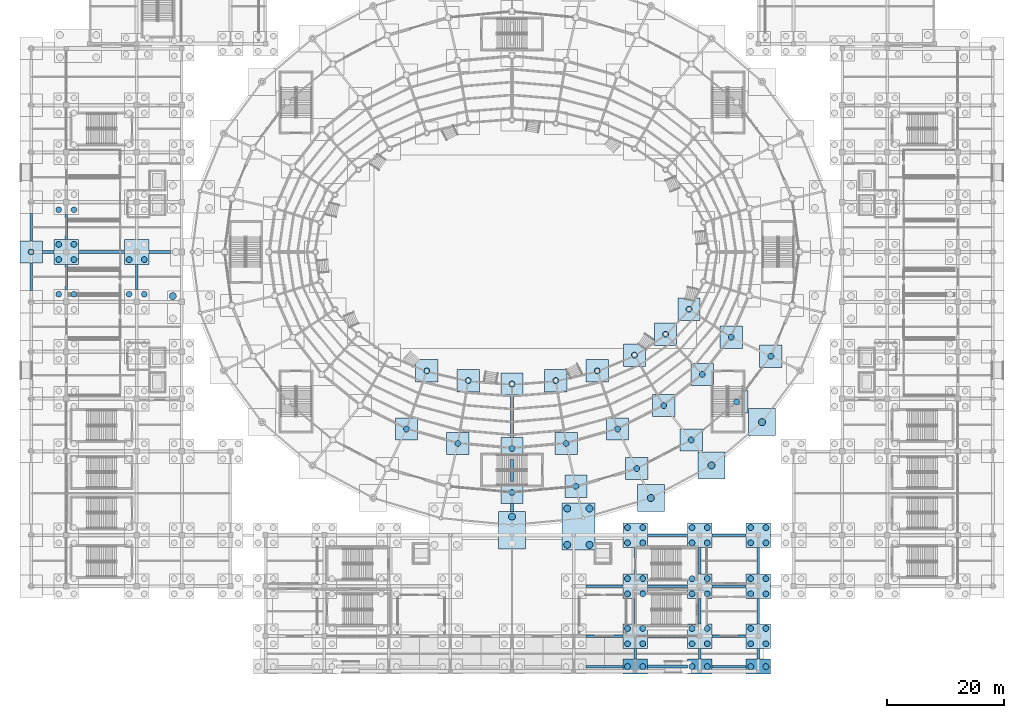
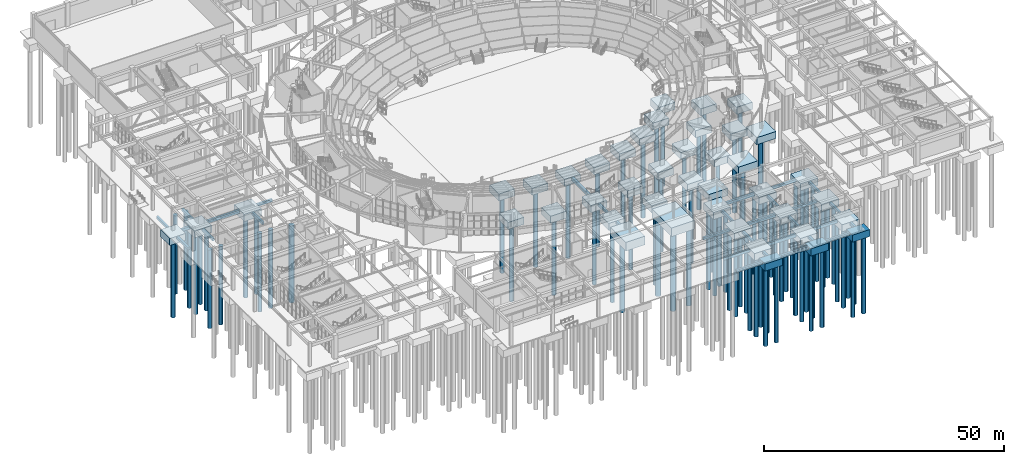
# One storey, part 3 of 121: 86 piles, 73 footings.
"""IFC4 building model written with IfcOpenShell, lengths in metres."""

from ifc_helpers import new_model, si_unit, direction, frame, origin, origin_2d, place, context, subcontext, project, spatial, rectangle, circle, extrude, material, material_profile, profile_set, type_object, element, save


model = new_model("IFC4")

# Units and contexts
model_context = context("Model", 3, precision=1e-05, world=origin(), true_north=direction((0.0, 1.0)))
body_context = subcontext(model_context, "Body", "Model", "MODEL_VIEW")
ifc_project = project(units=[si_unit("LENGTHUNIT", "METRE"), si_unit("AREAUNIT", "SQUARE_METRE"), si_unit("VOLUMEUNIT", "CUBIC_METRE"), si_unit("PLANEANGLEUNIT", "RADIAN"), si_unit("MASSUNIT", "GRAM", prefix="KILO")], contexts=[model_context])

# Site, building, storey
site_placement = place(None, origin())
site = spatial("IfcSite", under=ifc_project, at=site_placement, CompositionType="ELEMENT")
building_placement = place(site_placement, origin())
building = spatial("IfcBuilding", under=site, at=building_placement, Name="Cuetzalor Civic Arena", CompositionType="ELEMENT")
storey_placement = place(building_placement, origin())
storey = spatial("IfcBuildingStorey", under=building, at=storey_placement, Name="L00", CompositionType="ELEMENT", Elevation=0.0)

# Piles
ifc_material_1 = material(Name="Concrete C40/50", Category="concrete")
ifc_material_profile_1 = material_profile(ifc_material_1, circle(Radius=0.5, at=origin_2d()), Name="BORED PILE D1000")
ifc_profile_set_1 = profile_set([ifc_material_profile_1], Name="Concrete C40/50")
pile_type_1 = type_object("IfcPileType", Name="BoredPile_D1000", PredefinedType="BORED", material=ifc_profile_set_1)
for number, where, z_axis, x_axis, name in (
    (1, (19.699951171875, -70.699951171875, -2.050048828125), (0.0, 0.0, -1.0), (1.0, 0.0, 0.0), "Bored Pile 0013"),
    (2, (22.300048828125, -70.699951171875, -2.050048828125), (0.0, 0.0, -1.0), (1.0, 0.0, 0.0), "Bored Pile 0014"),
    (3, (30.699951171875, -70.699951171875, -2.050048828125), (0.0, 0.0, -1.0), (1.0, 0.0, 0.0), "Bored Pile 0015"),
    (4, (33.300048828125, -70.699951171875, -2.050048828125), (0.0, 0.0, -1.0), (1.0, 0.0, 0.0), "Bored Pile 0016"),
    (5, (40.699951171875, -70.699951171875, -2.050048828125), (0.0, 0.0, -1.0), (1.0, 0.0, 0.0), "Bored Pile 0017"),
    (6, (43.300048828125, -70.699951171875, -2.050048828125), (0.0, 0.0, -1.0), (1.0, 0.0, 0.0), "Bored Pile 0018"),
    (7, (19.699951171875, -66.800048828125, -2.050048828125), (0.0, 0.0, -1.0), (1.0, 0.0, 0.0), "Bored Pile 0043"),
    (8, (19.699951171875, -64.199951171875, -2.050048828125), (0.0, 0.0, -1.0), (1.0, 0.0, 0.0), "Bored Pile 0044"),
    (9, (22.300048828125, -66.800048828125, -2.050048828125), (0.0, 0.0, -1.0), (1.0, 0.0, 0.0), "Bored Pile 0045"),
    (10, (22.300048828125, -64.199951171875, -2.050048828125), (0.0, 0.0, -1.0), (1.0, 0.0, 0.0), "Bored Pile 0046"),
    (11, (30.699951171875, -66.800048828125, -2.050048828125), (0.0, 0.0, -1.0), (1.0, 0.0, 0.0), "Bored Pile 0047"),
    (12, (30.699951171875, -64.199951171875, -2.050048828125), (0.0, 0.0, -1.0), (1.0, 0.0, 0.0), "Bored Pile 0048"),
    (13, (33.300048828125, -66.800048828125, -2.050048828125), (0.0, 0.0, -1.0), (1.0, 0.0, 0.0), "Bored Pile 0049"),
    (14, (33.300048828125, -64.199951171875, -2.050048828125), (0.0, 0.0, -1.0), (1.0, 0.0, 0.0), "Bored Pile 0050"),
    (15, (40.699951171875, -66.800048828125, -2.050048828125), (0.0, 0.0, -1.0), (1.0, 0.0, 0.0), "Bored Pile 0051"),
    (16, (40.699951171875, -64.199951171875, -2.050048828125), (0.0, 0.0, -1.0), (1.0, 0.0, 0.0), "Bored Pile 0052"),
    (17, (43.300048828125, -66.800048828125, -2.050048828125), (0.0, 0.0, -1.0), (1.0, 0.0, 0.0), "Bored Pile 0053"),
    (18, (43.300048828125, -64.199951171875, -2.050048828125), (0.0, 0.0, -1.0), (1.0, 0.0, 0.0), "Bored Pile 0054"),
    (19, (19.699951171875, -58.300048828125, -2.050048828125), (0.0, 0.0, -1.0), (1.0, 0.0, 0.0), "Bored Pile 0092"),
    (20, (19.699951171875, -55.699951171875, -2.050048828125), (0.0, 0.0, -1.0), (1.0, 0.0, 0.0), "Bored Pile 0093"),
    (21, (22.300048828125, -58.300048828125, -2.050048828125), (0.0, 0.0, -1.0), (1.0, 0.0, 0.0), "Bored Pile 0094"),
    (22, (22.300048828125, -55.699951171875, -2.050048828125), (0.0, 0.0, -1.0), (1.0, 0.0, 0.0), "Bored Pile 0095"),
    (23, (30.699951171875, -58.300048828125, -2.050048828125), (0.0, 0.0, -1.0), (1.0, 0.0, 0.0), "Bored Pile 0096"),
    (24, (30.699951171875, -55.699951171875, -2.050048828125), (0.0, 0.0, -1.0), (1.0, 0.0, 0.0), "Bored Pile 0097"),
    (25, (33.300048828125, -58.300048828125, -2.050048828125), (0.0, 0.0, -1.0), (1.0, 0.0, 0.0), "Bored Pile 0098"),
    (26, (33.300048828125, -55.699951171875, -2.050048828125), (0.0, 0.0, -1.0), (1.0, 0.0, 0.0), "Bored Pile 0099"),
    (27, (40.699951171875, -58.300048828125, -2.050048828125), (0.0, 0.0, -1.0), (1.0, 0.0, 0.0), "Bored Pile 0100"),
    (28, (40.699951171875, -55.699951171875, -2.050048828125), (0.0, 0.0, -1.0), (1.0, 0.0, 0.0), "Bored Pile 0101"),
    (29, (43.300048828125, -58.300048828125, -2.050048828125), (0.0, 0.0, -1.0), (1.0, 0.0, 0.0), "Bored Pile 0102"),
    (30, (43.300048828125, -55.699951171875, -2.050048828125), (0.0, 0.0, -1.0), (1.0, 0.0, 0.0), "Bored Pile 0103"),
    (31, (19.699951171875, -49.60009765625, -2.050048828125), (0.0, 0.0, -1.0), (1.0, 0.0, 0.0), "Bored Pile 0150"),
    (32, (19.699951171875, -47.0, -2.050048828125), (0.0, 0.0, -1.0), (1.0, 0.0, 0.0), "Bored Pile 0151"),
    (33, (22.300048828125, -49.60009765625, -2.050048828125), (0.0, 0.0, -1.0), (1.0, 0.0, 0.0), "Bored Pile 0152"),
    (34, (22.300048828125, -47.0, -2.050048828125), (0.0, 0.0, -1.0), (1.0, 0.0, 0.0), "Bored Pile 0153"),
    (35, (30.699951171875, -49.60009765625, -2.050048828125), (0.0, 0.0, -1.0), (1.0, 0.0, 0.0), "Bored Pile 0154"),
    (36, (30.699951171875, -47.0, -2.050048828125), (0.0, 0.0, -1.0), (1.0, 0.0, 0.0), "Bored Pile 0155"),
    (37, (33.300048828125, -49.60009765625, -2.050048828125), (0.0, 0.0, -1.0), (1.0, 0.0, 0.0), "Bored Pile 0156"),
    (38, (33.300048828125, -47.0, -2.050048828125), (0.0, 0.0, -1.0), (1.0, 0.0, 0.0), "Bored Pile 0157"),
    (39, (40.699951171875, -49.60009765625, -2.050048828125), (0.0, 0.0, -1.0), (1.0, 0.0, 0.0), "Bored Pile 0158"),
    (40, (40.699951171875, -47.0, -2.050048828125), (0.0, 0.0, -1.0), (1.0, 0.0, 0.0), "Bored Pile 0159"),
    (41, (43.300048828125, -49.60009765625, -2.050048828125), (0.0, 0.0, -1.0), (1.0, 0.0, 0.0), "Bored Pile 0160"),
    (42, (43.300048828125, -47.0, -2.050048828125), (0.0, 0.0, -1.0), (1.0, 0.0, 0.0), "Bored Pile 0161"),
    (43, (0.0, -41.0, -2.050048828125), (0.0, 0.0, -1.0), (1.0, 0.0, 0.0), "Bored Pile 0191"),
    (44, (10.903564453125, -39.971923828125, -2.050048828125), (0.0, 0.0, -1.0), (1.0, 0.0, 0.0), "Bored Pile 0193"),
    (45, (21.26025390625, -36.939697265625, -2.050048828125), (0.0, 0.0, -1.0), (1.0, 0.0, 0.0), "Bored Pile 0195"),
    (46, (0.0, -33.5, -2.050048828125), (0.0, 0.0, -1.0), (1.0, 0.0, 0.0), "Bored Pile 0232"),
    (47, (-9.234619140625, -32.66015625, -2.050048828125), (0.0, 0.0, -1.0), (1.0, 0.0, 0.0), "Bored Pile 0233"),
    (48, (9.234619140625, -32.66015625, -2.050048828125), (0.0, 0.0, -1.0), (1.0, 0.0, 0.0), "Bored Pile 0234"),
    (49, (30.551025390625, -32.05517578125, -2.050048828125), (0.0, 0.0, -1.0), (1.0, 0.0, 0.0), "Bored Pile 0236"),
    (50, (-18.006103515625, -30.1826171875, -2.050048828125), (0.0, 0.0, -1.0), (1.0, 0.0, 0.0), "Bored Pile 0237"),
    (51, (18.006103515625, -30.1826171875, -2.050048828125), (0.0, 0.0, -1.0), (1.0, 0.0, 0.0), "Bored Pile 0238"),
    (52, (25.874755859375, -26.19140625, -2.050048828125), (0.0, 0.0, -1.0), (1.0, 0.0, 0.0), "Bored Pile 0242"),
    (53, (38.309814453125, -25.56298828125, -2.050048828125), (0.0, 0.0, -1.0), (1.0, 0.0, 0.0), "Bored Pile 0244"),
    (54, (0.0, -22.5, -2.050048828125), (0.0, 0.0, -1.0), (1.0, 0.0, 0.0), "Bored Pile 0271"),
    (55, (-7.45458984375, -21.935791015625, -2.050048828125), (0.0, 0.0, -1.0), (1.0, 0.0, 0.0), "Bored Pile 0272"),
    (56, (7.45458984375, -21.935791015625, -2.050048828125), (0.0, 0.0, -1.0), (1.0, 0.0, 0.0), "Bored Pile 0273"),
    (57, (32.446044921875, -20.886962890625, -2.050048828125), (0.0, 0.0, -1.0), (1.0, 0.0, 0.0), "Bored Pile 0275"),
    (58, (-14.53515625, -20.271728515625, -2.050048828125), (0.0, 0.0, -1.0), (1.0, 0.0, 0.0), "Bored Pile 0276"),
    (59, (14.53515625, -20.271728515625, -2.050048828125), (0.0, 0.0, -1.0), (1.0, 0.0, 0.0), "Bored Pile 0277"),
    (60, (44.1474609375, -17.789306640625, -2.050048828125), (0.0, 0.0, -1.0), (1.0, 0.0, 0.0), "Bored Pile 0281"),
    (61, (20.886962890625, -17.59130859375, -2.050048828125), (0.0, 0.0, -1.0), (1.0, 0.0, 0.0), "Bored Pile 0283"),
    (62, (37.39013671875, -14.53515625, -2.050048828125), (0.0, 0.0, -1.0), (1.0, 0.0, 0.0), "Bored Pile 0311"),
    (63, (26.19140625, -14.028564453125, -2.050048828125), (0.0, 0.0, -1.0), (1.0, 0.0, 0.0), "Bored Pile 0313"),
    (64, (30.1826171875, -9.762451171875, -2.050048828125), (0.0, 0.0, -1.0), (1.0, 0.0, 0.0), "Bored Pile 0323"),
    (65, (-77.300048828125, -7.199951171875, -2.050048828125), (0.0, 0.0, -1.0), (1.0, 0.0, 0.0), "Bored Pile 0328"),
    (66, (-74.699951171875, -7.199951171875, -2.050048828125), (0.0, 0.0, -1.0), (1.0, 0.0, 0.0), "Bored Pile 0330"),
    (67, (-65.300048828125, -7.199951171875, -2.050048828125), (0.0, 0.0, -1.0), (1.0, 0.0, 0.0), "Bored Pile 0332"),
    (68, (-62.699951171875, -7.199951171875, -2.050048828125), (0.0, 0.0, -1.0), (1.0, 0.0, 0.0), "Bored Pile 0334"),
    (69, (-82.0, 0.0, -2.050048828125), (0.0, 0.0, -1.0), (1.0, 0.0, 0.0), "Bored Pile 0348"),
    (70, (-77.300048828125, -1.300048828125, -2.050048828125), (0.0, 0.0, -1.0), (1.0, 0.0, 0.0), "Bored Pile 0349"),
    (71, (-77.300048828125, 1.300048828125, -2.050048828125), (0.0, 0.0, -1.0), (1.0, 0.0, 0.0), "Bored Pile 0350"),
    (72, (-74.699951171875, -1.300048828125, -2.050048828125), (0.0, 0.0, -1.0), (1.0, 0.0, 0.0), "Bored Pile 0351"),
    (73, (-74.699951171875, 1.300048828125, -2.050048828125), (0.0, 0.0, -1.0), (1.0, 0.0, 0.0), "Bored Pile 0352"),
    (74, (-65.300048828125, -1.300048828125, -2.050048828125), (0.0, 0.0, -1.0), (1.0, 0.0, 0.0), "Bored Pile 0353"),
    (75, (-62.699951171875, -1.300048828125, -2.050048828125), (0.0, 0.0, -1.0), (1.0, 0.0, 0.0), "Bored Pile 0355"),
    (76, (-77.300048828125, 7.199951171875, -2.050048828125), (0.0, 0.0, -1.0), (1.0, 0.0, 0.0), "Bored Pile 0381"),
    (77, (-74.699951171875, 7.199951171875, -2.050048828125), (0.0, 0.0, -1.0), (1.0, 0.0, 0.0), "Bored Pile 0383"),
):
    element("IfcPile", number, at=place(storey_placement, frame(where, z_axis=z_axis, x_axis=x_axis)), inside=storey, type_object=pile_type_1, Name=name, PredefinedType="BORED", context=body_context, shape_type="SweptSolid", body=[
        extrude(circle(Radius=0.5, at=origin_2d()), origin(), (0.0, 0.0, 1.0), 19.949951171875),
    ])
ifc_material_2 = material(Name="Concrete C40/50", Category="concrete")
ifc_material_profile_2 = material_profile(ifc_material_2, circle(Radius=0.60009765625, at=origin_2d()), Name="BORED PILE D1200")
ifc_profile_set_2 = profile_set([ifc_material_profile_2], Name="Concrete C40/50")
pile_type_2 = type_object("IfcPileType", Name="BoredPile_D1200", PredefinedType="BORED", material=ifc_profile_set_2)
for number, where, z_axis, x_axis, name in (
    (78, (0.0, -45.125, -2.449951171875), (0.0, 0.0, -1.0), (1.0, 0.0, 0.0), "Bored Pile 0180"),
    (79, (9.419189453125, -49.94140625, -2.449951171875), (0.0, 0.0, -1.0), (1.0, 0.0, 0.0), "Bored Pile 0185"),
    (80, (9.419189453125, -43.741455078125, -2.449951171875), (0.0, 0.0, -1.0), (1.0, 0.0, 0.0), "Bored Pile 0186"),
    (81, (13.21923828125, -49.94140625, -2.449951171875), (0.0, 0.0, -1.0), (1.0, 0.0, 0.0), "Bored Pile 0187"),
    (82, (13.21923828125, -43.741455078125, -2.449951171875), (0.0, 0.0, -1.0), (1.0, 0.0, 0.0), "Bored Pile 0188"),
):
    element("IfcPile", number, at=place(storey_placement, frame(where, z_axis=z_axis, x_axis=x_axis)), inside=storey, type_object=pile_type_2, Name=name, PredefinedType="BORED", context=body_context, shape_type="SweptSolid", body=[
        extrude(circle(Radius=0.60009765625, at=origin_2d()), origin(), (0.0, 0.0, 1.0), 19.550048828125),
    ])
for number, where, z_axis, x_axis, name in (
    (83, (23.66845703125, -41.940185546875, -2.050048828125), (0.0, 0.0, -1.0), (1.0, 0.0, 0.0), "Bored Pile 0190"),
    (84, (34.011474609375, -36.394287109375, -2.050048828125), (0.0, 0.0, -1.0), (1.0, 0.0, 0.0), "Bored Pile 0197"),
    (85, (42.64892578125, -29.0234375, -2.050048828125), (0.0, 0.0, -1.0), (1.0, 0.0, 0.0), "Bored Pile 0240"),
):
    element("IfcPile", number, at=place(storey_placement, frame(where, z_axis=z_axis, x_axis=x_axis)), inside=storey, type_object=pile_type_2, Name=name, PredefinedType="BORED", context=body_context, shape_type="SweptSolid", body=[
        extrude(circle(Radius=0.60009765625, at=origin_2d()), origin(), (0.0, 0.0, 1.0), 19.949951171875),
    ])
pile_placement = place(storey_placement, frame((-57.841064453125, -7.529052734375, -2.449951171875), z_axis=(0.0, 0.0, -1.0), x_axis=(1.0, 0.0, 0.0)))
element("IfcPile", 86, at=pile_placement, inside=storey, type_object=pile_type_2, Name="Bored Pile 0315", PredefinedType="BORED", context=body_context, shape_type="SweptSolid", body=[
    extrude(circle(Radius=0.60009765625, at=origin_2d()), origin(), (0.0, 0.0, 1.0), 19.550048828125),
])

# Footings
ifc_material_3 = material(Name="Concrete C40/50", Category="concrete")
footing_type_1 = type_object("IfcFootingType", Name="CombinedPileCap_A", PredefinedType="PILE_CAP", material=ifc_material_3)
for number, where, z_axis, x_axis, name in (
    (87, (21.0, -65.5, -2.14990234375), (0.0, 0.0, 1.0), (1.0, 0.0, 0.0), "Combined Pile Cap 016"),
    (88, (32.0, -65.5, -2.14990234375), (0.0, 0.0, 1.0), (1.0, 0.0, 0.0), "Combined Pile Cap 017"),
    (89, (42.0, -65.5, -2.14990234375), (0.0, 0.0, 1.0), (1.0, 0.0, 0.0), "Combined Pile Cap 018"),
    (90, (21.0, -57.0, -2.14990234375), (0.0, 0.0, 1.0), (1.0, 0.0, 0.0), "Combined Pile Cap 029"),
    (91, (32.0, -57.0, -2.14990234375), (0.0, 0.0, 1.0), (1.0, 0.0, 0.0), "Combined Pile Cap 030"),
    (92, (42.0, -57.0, -2.14990234375), (0.0, 0.0, 1.0), (1.0, 0.0, 0.0), "Combined Pile Cap 031"),
    (93, (21.0, -48.300048828125, -2.14990234375), (0.0, 0.0, 1.0), (1.0, 0.0, 0.0), "Combined Pile Cap 045"),
    (94, (32.0, -48.300048828125, -2.14990234375), (0.0, 0.0, 1.0), (1.0, 0.0, 0.0), "Combined Pile Cap 046"),
    (95, (42.0, -48.300048828125, -2.14990234375), (0.0, 0.0, 1.0), (1.0, 0.0, 0.0), "Combined Pile Cap 047"),
    (96, (-76.0, 0.0, -2.14990234375), (0.0, 0.0, 1.0), (1.0, 0.0, 0.0), "Combined Pile Cap 138"),
    (97, (-64.0, 0.0, -2.14990234375), (0.0, 0.0, 1.0), (1.0, 0.0, 0.0), "Combined Pile Cap 139"),
):
    element("IfcFooting", number, at=place(storey_placement, frame(where, z_axis=z_axis, x_axis=x_axis)), inside=storey, type_object=footing_type_1, Name=name, PredefinedType="PILE_CAP", context=body_context, shape_type="SweptSolid", body=[
        extrude(rectangle(XDim=4.199951171875, YDim=4.199951171875, at=origin_2d()), origin(), (0.0, 0.0, 1.0), 1.800048828125),
    ])
ifc_material_4 = material(Name="Concrete C40/50", Category="concrete")
footing_type_2 = type_object("IfcFootingType", Name="CombinedPileCap_B", PredefinedType="PILE_CAP", material=ifc_material_4)
for number, where, z_axis, x_axis, name in (
    (98, (23.66845703125, -41.940185546875, -2.14990234375), (0.0, 0.0, 1.0), (1.0, 0.0, 0.0), "Combined Pile Cap 057"),
    (99, (34.011474609375, -36.394287109375, -2.14990234375), (0.0, 0.0, 1.0), (1.0, 0.0, 0.0), "Combined Pile Cap 064"),
    (100, (42.64892578125, -29.0234375, -2.14990234375), (0.0, 0.0, 1.0), (1.0, 0.0, 0.0), "Combined Pile Cap 083"),
):
    element("IfcFooting", number, at=place(storey_placement, frame(where, z_axis=z_axis, x_axis=x_axis)), inside=storey, type_object=footing_type_2, Name=name, PredefinedType="PILE_CAP", context=body_context, shape_type="SweptSolid", body=[
        extrude(rectangle(XDim=4.60009765625, YDim=4.60009765625, at=origin_2d()), origin(), (0.0, 0.0, 1.0), 1.800048828125),
    ])
ifc_material_5 = material(Name="Concrete C40/50", Category="concrete")
footing_type_3 = type_object("IfcFootingType", Name="CombinedPileCap_F", PredefinedType="PILE_CAP", material=ifc_material_5)
footing_1_placement = place(storey_placement, frame((0.0, -47.425048828125, -2.5498046875), z_axis=(0.0, 0.0, 1.0), x_axis=(1.0, 0.0, 0.0)))
element("IfcFooting", 101, at=footing_1_placement, inside=storey, type_object=footing_type_3, Name="Combined Pile Cap 053", PredefinedType="PILE_CAP", context=body_context, shape_type="SweptSolid", body=[
    extrude(rectangle(XDim=4.60009765625, YDim=6.39990234375, at=origin_2d()), origin(), (0.0, 0.0, 1.0), 2.199951171875),
])
ifc_material_6 = material(Name="Concrete C40/50", Category="concrete")
footing_type_4 = type_object("IfcFootingType", Name="CombinedPileCap_K", PredefinedType="PILE_CAP", material=ifc_material_6)
footing_2_placement = place(storey_placement, frame((11.3193359375, -46.84130859375, -2.5498046875), z_axis=(0.0, 0.0, 1.0), x_axis=(1.0, 0.0, 0.0)))
element("IfcFooting", 102, at=footing_2_placement, inside=storey, type_object=footing_type_4, Name="Combined Pile Cap 055", PredefinedType="PILE_CAP", context=body_context, shape_type="SweptSolid", body=[
    extrude(rectangle(XDim=5.60009765625, YDim=8.0, at=origin_2d()), origin(), (0.0, 0.0, 1.0), 2.199951171875),
])
ifc_material_7 = material(Name="Concrete C40/50", Category="concrete")
footing_type_5 = type_object("IfcFootingType", Name="CombinedPileCap_M", PredefinedType="PILE_CAP", material=ifc_material_7)
for number, where, z_axis, x_axis, name in (
    (103, (0.0, -41.0, -2.14990234375), (0.0, 0.0, 1.0), (1.0, 0.0, 0.0), "Combined Pile Cap 058"),
    (104, (10.903564453125, -39.971923828125, -2.14990234375), (0.0, 0.0, 1.0), (1.0, 0.0, 0.0), "Combined Pile Cap 060"),
    (105, (21.26025390625, -36.939697265625, -2.14990234375), (0.0, 0.0, 1.0), (1.0, 0.0, 0.0), "Combined Pile Cap 062"),
    (106, (0.0, -33.5, -2.14990234375), (0.0, 0.0, 1.0), (1.0, 0.0, 0.0), "Combined Pile Cap 075"),
    (107, (-9.234619140625, -32.66015625, -2.14990234375), (0.0, 0.0, 1.0), (1.0, 0.0, 0.0), "Combined Pile Cap 076"),
    (108, (9.234619140625, -32.66015625, -2.14990234375), (0.0, 0.0, 1.0), (1.0, 0.0, 0.0), "Combined Pile Cap 077"),
    (109, (30.551025390625, -32.05517578125, -2.14990234375), (0.0, 0.0, 1.0), (1.0, 0.0, 0.0), "Combined Pile Cap 079"),
    (110, (-18.006103515625, -30.1826171875, -2.14990234375), (0.0, 0.0, 1.0), (1.0, 0.0, 0.0), "Combined Pile Cap 080"),
    (111, (18.006103515625, -30.1826171875, -2.14990234375), (0.0, 0.0, 1.0), (1.0, 0.0, 0.0), "Combined Pile Cap 081"),
    (112, (25.874755859375, -26.19140625, -2.14990234375), (0.0, 0.0, 1.0), (1.0, 0.0, 0.0), "Combined Pile Cap 085"),
    (113, (38.309814453125, -25.56298828125, -2.14990234375), (0.0, 0.0, 1.0), (1.0, 0.0, 0.0), "Combined Pile Cap 087"),
    (114, (0.0, -22.5, -2.14990234375), (0.0, 0.0, 1.0), (1.0, 0.0, 0.0), "Combined Pile Cap 096"),
    (115, (-7.45458984375, -21.935791015625, -2.14990234375), (0.0, 0.0, 1.0), (1.0, 0.0, 0.0), "Combined Pile Cap 097"),
    (116, (7.45458984375, -21.935791015625, -2.14990234375), (0.0, 0.0, 1.0), (1.0, 0.0, 0.0), "Combined Pile Cap 098"),
    (117, (32.446044921875, -20.886962890625, -2.14990234375), (0.0, 0.0, 1.0), (1.0, 0.0, 0.0), "Combined Pile Cap 100"),
    (118, (-14.53515625, -20.271728515625, -2.14990234375), (0.0, 0.0, 1.0), (1.0, 0.0, 0.0), "Combined Pile Cap 101"),
    (119, (14.53515625, -20.271728515625, -2.14990234375), (0.0, 0.0, 1.0), (1.0, 0.0, 0.0), "Combined Pile Cap 102"),
    (120, (44.1474609375, -17.789306640625, -2.14990234375), (0.0, 0.0, 1.0), (1.0, 0.0, 0.0), "Combined Pile Cap 106"),
    (121, (20.886962890625, -17.59130859375, -2.14990234375), (0.0, 0.0, 1.0), (1.0, 0.0, 0.0), "Combined Pile Cap 108"),
    (122, (37.39013671875, -14.53515625, -2.14990234375), (0.0, 0.0, 1.0), (1.0, 0.0, 0.0), "Combined Pile Cap 118"),
    (123, (26.19140625, -14.028564453125, -2.14990234375), (0.0, 0.0, 1.0), (1.0, 0.0, 0.0), "Combined Pile Cap 120"),
    (124, (30.1826171875, -9.762451171875, -2.14990234375), (0.0, 0.0, 1.0), (1.0, 0.0, 0.0), "Combined Pile Cap 124"),
    (125, (-82.0, 0.0, -2.14990234375), (0.0, 0.0, 1.0), (1.0, 0.0, 0.0), "Combined Pile Cap 137"),
):
    element("IfcFooting", number, at=place(storey_placement, frame(where, z_axis=z_axis, x_axis=x_axis)), inside=storey, type_object=footing_type_5, Name=name, PredefinedType="PILE_CAP", context=body_context, shape_type="SweptSolid", body=[
        extrude(rectangle(XDim=3.800048828125, YDim=3.800048828125, at=origin_2d()), origin(), (0.0, 0.0, 1.0), 1.800048828125),
    ])
ifc_material_8 = material(Name="Concrete C40/50", Category="concrete")
ifc_material_profile_3 = material_profile(ifc_material_8, rectangle(XDim=0.449951171875, YDim=0.64990234375, at=origin_2d()), Name="RC 450x650")
ifc_profile_set_3 = profile_set([ifc_material_profile_3], Name="Concrete C40/50")
footing_type_6 = type_object("IfcFootingType", Name="GroundTieBeam_450x650", PredefinedType="FOOTING_BEAM", material=ifc_profile_set_3)
footing_3_placement = place(storey_placement, frame((12.60009765625, -70.699951171875, -0.675048828125), z_axis=(1.0, 0.0, 0.0), x_axis=(0.0, 1.0, 0.0)))
element("IfcFooting", 126, at=footing_3_placement, inside=storey, type_object=footing_type_6, Name="Ground Tie Beam 011", PredefinedType="FOOTING_BEAM", context=body_context, shape_type="SweptSolid", body=[
    extrude(rectangle(XDim=0.449951171875, YDim=0.64990234375, at=origin_2d()), origin(), (0.0, 0.0, 1.0), 6.2998046875),
])
footing_4_placement = place(storey_placement, frame((21.0, -69.449951171875, -0.675048828125), z_axis=(0.0, 1.0, 0.0), x_axis=(-1.0, 0.0, 0.0)))
element("IfcFooting", 127, at=footing_4_placement, inside=storey, type_object=footing_type_6, Name="Ground Tie Beam 014", PredefinedType="FOOTING_BEAM", context=body_context, shape_type="SweptSolid", body=[
    extrude(rectangle(XDim=0.449951171875, YDim=0.64990234375, at=origin_2d()), origin(), (0.0, 0.0, 1.0), 1.849853515625),
])
footing_5_placement = place(storey_placement, frame((34.10009765625, -70.699951171875, -0.675048828125), z_axis=(1.0, 0.0, 0.0), x_axis=(0.0, 1.0, 0.0)))
element("IfcFooting", 128, at=footing_5_placement, inside=storey, type_object=footing_type_6, Name="Ground Tie Beam 015", PredefinedType="FOOTING_BEAM", context=body_context, shape_type="SweptSolid", body=[
    extrude(rectangle(XDim=0.449951171875, YDim=0.64990234375, at=origin_2d()), origin(), (0.0, 0.0, 1.0), 5.7998046875),
])
for number, where, z_axis, x_axis, name in (
    (129, (32.0, -69.449951171875, -0.675048828125), (0.0, 1.0, 0.0), (-1.0, 0.0, 0.0), "Ground Tie Beam 016"),
    (130, (42.0, -69.449951171875, -0.675048828125), (0.0, 1.0, 0.0), (-1.0, 0.0, 0.0), "Ground Tie Beam 017"),
):
    element("IfcFooting", number, at=place(storey_placement, frame(where, z_axis=z_axis, x_axis=x_axis)), inside=storey, type_object=footing_type_6, Name=name, PredefinedType="FOOTING_BEAM", context=body_context, shape_type="SweptSolid", body=[
        extrude(rectangle(XDim=0.449951171875, YDim=0.64990234375, at=origin_2d()), origin(), (0.0, 0.0, 1.0), 1.849853515625),
    ])
footing_6_placement = place(storey_placement, frame((12.60009765625, -65.5, -0.675048828125), z_axis=(1.0, 0.0, 0.0), x_axis=(0.0, 1.0, 0.0)))
element("IfcFooting", 131, at=footing_6_placement, inside=storey, type_object=footing_type_6, Name="Ground Tie Beam 027", PredefinedType="FOOTING_BEAM", context=body_context, shape_type="SweptSolid", body=[
    extrude(rectangle(XDim=0.449951171875, YDim=0.64990234375, at=origin_2d()), origin(), (0.0, 0.0, 1.0), 6.2998046875),
])
footing_7_placement = place(storey_placement, frame((21.0, -63.39990234375, -0.675048828125), z_axis=(0.0, 1.0, 0.0), x_axis=(-1.0, 0.0, 0.0)))
element("IfcFooting", 132, at=footing_7_placement, inside=storey, type_object=footing_type_6, Name="Ground Tie Beam 030", PredefinedType="FOOTING_BEAM", context=body_context, shape_type="SweptSolid", body=[
    extrude(rectangle(XDim=0.449951171875, YDim=0.64990234375, at=origin_2d()), origin(), (0.0, 0.0, 1.0), 4.2998046875),
])
footing_8_placement = place(storey_placement, frame((34.10009765625, -65.5, -0.675048828125), z_axis=(1.0, 0.0, 0.0), x_axis=(0.0, 1.0, 0.0)))
element("IfcFooting", 133, at=footing_8_placement, inside=storey, type_object=footing_type_6, Name="Ground Tie Beam 031", PredefinedType="FOOTING_BEAM", context=body_context, shape_type="SweptSolid", body=[
    extrude(rectangle(XDim=0.449951171875, YDim=0.64990234375, at=origin_2d()), origin(), (0.0, 0.0, 1.0), 5.7998046875),
])
for number, where, z_axis, x_axis, name in (
    (134, (32.0, -63.39990234375, -0.675048828125), (0.0, 1.0, 0.0), (-1.0, 0.0, 0.0), "Ground Tie Beam 032"),
    (135, (42.0, -63.39990234375, -0.675048828125), (0.0, 1.0, 0.0), (-1.0, 0.0, 0.0), "Ground Tie Beam 033"),
):
    element("IfcFooting", number, at=place(storey_placement, frame(where, z_axis=z_axis, x_axis=x_axis)), inside=storey, type_object=footing_type_6, Name=name, PredefinedType="FOOTING_BEAM", context=body_context, shape_type="SweptSolid", body=[
        extrude(rectangle(XDim=0.449951171875, YDim=0.64990234375, at=origin_2d()), origin(), (0.0, 0.0, 1.0), 4.2998046875),
    ])
footing_9_placement = place(storey_placement, frame((12.60009765625, -57.0, -0.675048828125), z_axis=(1.0, 0.0, 0.0), x_axis=(0.0, 1.0, 0.0)))
element("IfcFooting", 136, at=footing_9_placement, inside=storey, type_object=footing_type_6, Name="Ground Tie Beam 050", PredefinedType="FOOTING_BEAM", context=body_context, shape_type="SweptSolid", body=[
    extrude(rectangle(XDim=0.449951171875, YDim=0.64990234375, at=origin_2d()), origin(), (0.0, 0.0, 1.0), 6.2998046875),
])
footing_10_placement = place(storey_placement, frame((21.0, -54.89990234375, -0.675048828125), z_axis=(0.0, 1.0, 0.0), x_axis=(-1.0, 0.0, 0.0)))
element("IfcFooting", 137, at=footing_10_placement, inside=storey, type_object=footing_type_6, Name="Ground Tie Beam 052", PredefinedType="FOOTING_BEAM", context=body_context, shape_type="SweptSolid", body=[
    extrude(rectangle(XDim=0.449951171875, YDim=0.64990234375, at=origin_2d()), origin(), (0.0, 0.0, 1.0), 4.5),
])
footing_11_placement = place(storey_placement, frame((34.10009765625, -57.0, -0.675048828125), z_axis=(1.0, 0.0, 0.0), x_axis=(0.0, 1.0, 0.0)))
element("IfcFooting", 138, at=footing_11_placement, inside=storey, type_object=footing_type_6, Name="Ground Tie Beam 053", PredefinedType="FOOTING_BEAM", context=body_context, shape_type="SweptSolid", body=[
    extrude(rectangle(XDim=0.449951171875, YDim=0.64990234375, at=origin_2d()), origin(), (0.0, 0.0, 1.0), 5.7998046875),
])
for number, where, z_axis, x_axis, name in (
    (139, (32.0, -54.89990234375, -0.675048828125), (0.0, 1.0, 0.0), (-1.0, 0.0, 0.0), "Ground Tie Beam 054"),
    (140, (42.0, -54.89990234375, -0.675048828125), (0.0, 1.0, 0.0), (-1.0, 0.0, 0.0), "Ground Tie Beam 056"),
):
    element("IfcFooting", number, at=place(storey_placement, frame(where, z_axis=z_axis, x_axis=x_axis)), inside=storey, type_object=footing_type_6, Name=name, PredefinedType="FOOTING_BEAM", context=body_context, shape_type="SweptSolid", body=[
        extrude(rectangle(XDim=0.449951171875, YDim=0.64990234375, at=origin_2d()), origin(), (0.0, 0.0, 1.0), 4.5),
    ])
footing_12_placement = place(storey_placement, frame((34.10009765625, -48.300048828125, -0.675048828125), z_axis=(1.0, 0.0, 0.0), x_axis=(0.0, 1.0, 0.0)))
element("IfcFooting", 141, at=footing_12_placement, inside=storey, type_object=footing_type_6, Name="Ground Tie Beam 079", PredefinedType="FOOTING_BEAM", context=body_context, shape_type="SweptSolid", body=[
    extrude(rectangle(XDim=0.449951171875, YDim=0.64990234375, at=origin_2d()), origin(), (0.0, 0.0, 1.0), 5.7998046875),
])
footing_13_placement = place(storey_placement, frame((0.0, -44.22509765625, -0.675048828125), z_axis=(0.0, 1.0, 0.0), x_axis=(-1.0, 0.0, 0.0)))
element("IfcFooting", 142, at=footing_13_placement, inside=storey, type_object=footing_type_6, Name="Ground Tie Beam 090", PredefinedType="FOOTING_BEAM", context=body_context, shape_type="SweptSolid", body=[
    extrude(rectangle(XDim=0.449951171875, YDim=0.64990234375, at=origin_2d()), origin(), (0.0, 0.0, 1.0), 1.3251953125),
])
footing_14_placement = place(storey_placement, frame((0.0, -39.10009765625, -0.675048828125), z_axis=(0.0, 1.0, 0.0), x_axis=(-1.0, 0.0, 0.0)))
element("IfcFooting", 143, at=footing_14_placement, inside=storey, type_object=footing_type_6, Name="Ground Tie Beam 091", PredefinedType="FOOTING_BEAM", context=body_context, shape_type="SweptSolid", body=[
    extrude(rectangle(XDim=0.449951171875, YDim=0.64990234375, at=origin_2d()), origin(), (0.0, 0.0, 1.0), 3.7001953125),
])
footing_15_placement = place(storey_placement, frame((-82.0, -6.60009765625, -0.675048828125), z_axis=(0.0, 1.0, 0.0), x_axis=(-1.0, 0.0, 0.0)))
element("IfcFooting", 144, at=footing_15_placement, inside=storey, type_object=footing_type_6, Name="Ground Tie Beam 136", PredefinedType="FOOTING_BEAM", context=body_context, shape_type="SweptSolid", body=[
    extrude(rectangle(XDim=0.449951171875, YDim=0.64990234375, at=origin_2d()), origin(), (0.0, 0.0, 1.0), 4.7001953125),
])
for number, where, z_axis, x_axis, name in (
    (145, (-76.0, -6.39990234375, -0.675048828125), (0.0, 1.0, 0.0), (-1.0, 0.0, 0.0), "Ground Tie Beam 138"),
    (146, (-64.0, -6.39990234375, -0.675048828125), (0.0, 1.0, 0.0), (-1.0, 0.0, 0.0), "Ground Tie Beam 139"),
):
    element("IfcFooting", number, at=place(storey_placement, frame(where, z_axis=z_axis, x_axis=x_axis)), inside=storey, type_object=footing_type_6, Name=name, PredefinedType="FOOTING_BEAM", context=body_context, shape_type="SweptSolid", body=[
        extrude(rectangle(XDim=0.449951171875, YDim=0.64990234375, at=origin_2d()), origin(), (0.0, 0.0, 1.0), 4.2998046875),
    ])
footing_16_placement = place(storey_placement, frame((-80.10009765625, 0.0, -0.675048828125), z_axis=(1.0, 0.0, 0.0), x_axis=(0.0, 1.0, 0.0)))
element("IfcFooting", 147, at=footing_16_placement, inside=storey, type_object=footing_type_6, Name="Ground Tie Beam 145", PredefinedType="FOOTING_BEAM", context=body_context, shape_type="SweptSolid", body=[
    extrude(rectangle(XDim=0.449951171875, YDim=0.64990234375, at=origin_2d()), origin(), (0.0, 0.0, 1.0), 2.0),
])
footing_17_placement = place(storey_placement, frame((-82.0, 1.89990234375, -0.675048828125), z_axis=(0.0, 1.0, 0.0), x_axis=(-1.0, 0.0, 0.0)))
element("IfcFooting", 148, at=footing_17_placement, inside=storey, type_object=footing_type_6, Name="Ground Tie Beam 146", PredefinedType="FOOTING_BEAM", context=body_context, shape_type="SweptSolid", body=[
    extrude(rectangle(XDim=0.449951171875, YDim=0.64990234375, at=origin_2d()), origin(), (0.0, 0.0, 1.0), 4.7001953125),
])
footing_18_placement = place(storey_placement, frame((-76.0, 2.10009765625, -0.675048828125), z_axis=(0.0, 1.0, 0.0), x_axis=(-1.0, 0.0, 0.0)))
element("IfcFooting", 149, at=footing_18_placement, inside=storey, type_object=footing_type_6, Name="Ground Tie Beam 148", PredefinedType="FOOTING_BEAM", context=body_context, shape_type="SweptSolid", body=[
    extrude(rectangle(XDim=0.449951171875, YDim=0.64990234375, at=origin_2d()), origin(), (0.0, 0.0, 1.0), 4.2998046875),
])
footing_19_placement = place(storey_placement, frame((-61.89990234375, 0.0, -0.675048828125), z_axis=(1.0, 0.0, 0.0), x_axis=(0.0, 1.0, 0.0)))
element("IfcFooting", 150, at=footing_19_placement, inside=storey, type_object=footing_type_6, Name="Ground Tie Beam 149", PredefinedType="FOOTING_BEAM", context=body_context, shape_type="SweptSolid", body=[
    extrude(rectangle(XDim=0.449951171875, YDim=0.64990234375, at=origin_2d()), origin(), (0.0, 0.0, 1.0), 3.6748046875),
])
ifc_material_9 = material(Name="Concrete C40/50", Category="concrete")
ifc_material_profile_4 = material_profile(ifc_material_9, rectangle(XDim=0.5, YDim=0.75, at=origin_2d()), Name="RC 500x750")
ifc_profile_set_4 = profile_set([ifc_material_profile_4], Name="Concrete C40/50")
footing_type_7 = type_object("IfcFootingType", Name="GroundTieBeam_500x750", PredefinedType="FOOTING_BEAM", material=ifc_profile_set_4)
for number, where, z_axis, x_axis, name in (
    (151, (23.10009765625, -70.699951171875, -0.72509765625), (1.0, 0.0, 0.0), (0.0, 1.0, 0.0), "Ground Tie Beam 013"),
    (152, (23.10009765625, -65.5, -0.72509765625), (1.0, 0.0, 0.0), (0.0, 1.0, 0.0), "Ground Tie Beam 029"),
    (153, (23.10009765625, -57.0, -0.72509765625), (1.0, 0.0, 0.0), (0.0, 1.0, 0.0), "Ground Tie Beam 051"),
    (154, (23.10009765625, -48.300048828125, -0.72509765625), (1.0, 0.0, 0.0), (0.0, 1.0, 0.0), "Ground Tie Beam 078"),
):
    element("IfcFooting", number, at=place(storey_placement, frame(where, z_axis=z_axis, x_axis=x_axis)), inside=storey, type_object=footing_type_7, Name=name, PredefinedType="FOOTING_BEAM", context=body_context, shape_type="SweptSolid", body=[
        extrude(rectangle(XDim=0.5, YDim=0.75, at=origin_2d()), origin(), (0.0, 0.0, 1.0), 6.7998046875),
    ])
footing_20_placement = place(storey_placement, frame((0.0, -31.60009765625, -0.72509765625), z_axis=(0.0, 1.0, 0.0), x_axis=(-1.0, 0.0, 0.0)))
element("IfcFooting", 155, at=footing_20_placement, inside=storey, type_object=footing_type_7, Name="Ground Tie Beam 108", PredefinedType="FOOTING_BEAM", context=body_context, shape_type="SweptSolid", body=[
    extrude(rectangle(XDim=0.5, YDim=0.75, at=origin_2d()), origin(), (0.0, 0.0, 1.0), 7.2001953125),
])
footing_21_placement = place(storey_placement, frame((-73.89990234375, 0.0, -0.72509765625), z_axis=(1.0, 0.0, 0.0), x_axis=(0.0, 1.0, 0.0)))
element("IfcFooting", 156, at=footing_21_placement, inside=storey, type_object=footing_type_7, Name="Ground Tie Beam 147", PredefinedType="FOOTING_BEAM", context=body_context, shape_type="SweptSolid", body=[
    extrude(rectangle(XDim=0.5, YDim=0.75, at=origin_2d()), origin(), (0.0, 0.0, 1.0), 7.7998046875),
])
ifc_material_10 = material(Name="Concrete C40/50", Category="concrete")
footing_type_8 = type_object("IfcFootingType", Name="PerimeterEdgePileCap_2P", PredefinedType="PILE_CAP", material=ifc_material_10)
for number, where, z_axis, x_axis, name in (
    (157, (21.0, -70.699951171875, -2.14990234375), (0.0, 0.0, 1.0), (1.0, 0.0, 0.0), "Combined Pile Cap 007"),
    (158, (32.0, -70.699951171875, -2.14990234375), (0.0, 0.0, 1.0), (1.0, 0.0, 0.0), "Combined Pile Cap 008"),
    (159, (42.0, -70.699951171875, -2.14990234375), (0.0, 0.0, 1.0), (1.0, 0.0, 0.0), "Combined Pile Cap 009"),
):
    element("IfcFooting", number, at=place(storey_placement, frame(where, z_axis=z_axis, x_axis=x_axis)), inside=storey, type_object=footing_type_8, Name=name, PredefinedType="PILE_CAP", context=body_context, shape_type="SweptSolid", body=[
        extrude(rectangle(XDim=4.199951171875, YDim=2.5, at=origin_2d()), origin(), (0.0, 0.0, 1.0), 1.800048828125),
    ])

save(model, "model.ifc")
